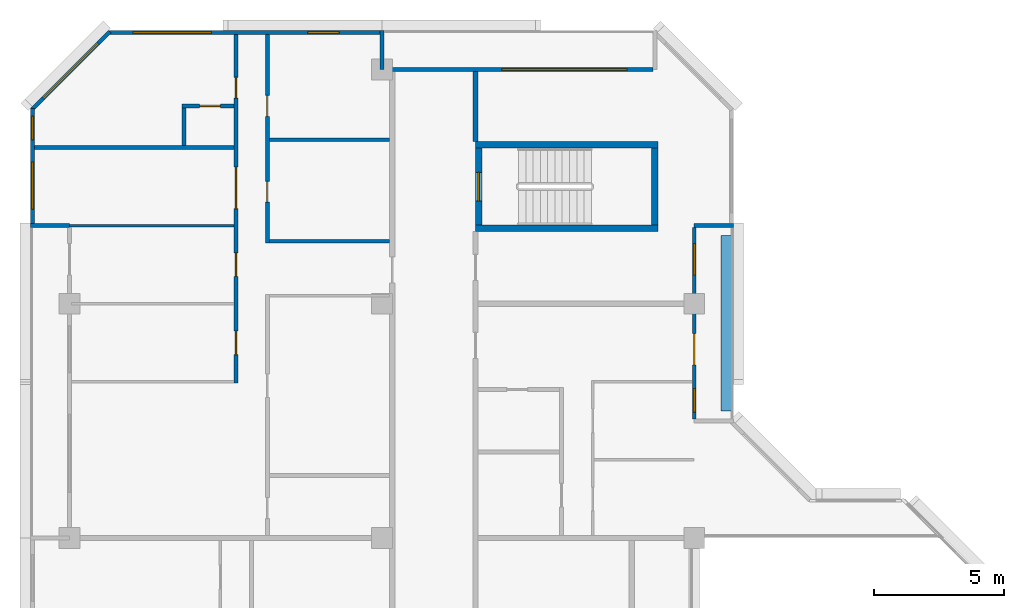
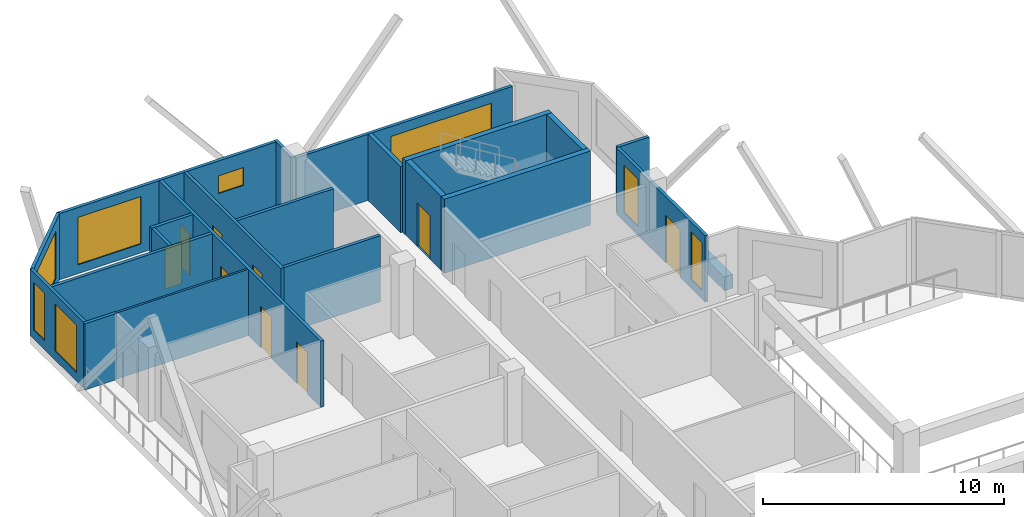
# One storey, part 10 of 13: 22 walls, 9 doors, 8 windows, 17 openings.
"""IFC4 building model written with IfcOpenShell, lengths in metres."""

from ifc_helpers import new_model, si_unit, direction, frame, frame_2d, origin, place, context, subcontext, project, spatial, rectangle, extrude, material, layer, layer_set, type_object, element, fill, save


model = new_model("IFC4")

# Units and contexts
model_context = context("Model", 3, precision=1e-05, world=origin(), true_north=direction((0.0, 1.0)))
body_context = subcontext(model_context, "Body", "Model", "MODEL_VIEW")
ifc_project = project(units=[si_unit("LENGTHUNIT", "METRE"), si_unit("AREAUNIT", "SQUARE_METRE"), si_unit("VOLUMEUNIT", "CUBIC_METRE"), si_unit("PLANEANGLEUNIT", "RADIAN"), si_unit("MASSUNIT", "GRAM", prefix="KILO")], contexts=[model_context])

# Site, building, storey
site_placement = place(None, origin())
site = spatial("IfcSite", under=ifc_project, at=site_placement, CompositionType="ELEMENT")
building_placement = place(site_placement, origin())
building = spatial("IfcBuilding", under=site, at=building_placement, Name="Chenar Terraces", CompositionType="ELEMENT")
storey_placement = place(building_placement, frame((0.0, 0.0, 280.89990234375)))
storey = spatial("IfcBuildingStorey", under=building, at=storey_placement, Name="L65", CompositionType="ELEMENT", Elevation=280.89990234375)

# Walls
ifc_material_1 = material(Name="Concrete C50/60", Category="concrete")
ifc_layer_1 = layer(ifc_material_1, 0.25)
ifc_layer_set_1 = layer_set([ifc_layer_1], Name="Concrete C50/60")
wall_type_1 = type_object("IfcWallType", Name="Core wall 250 Concrete C50/60", PredefinedType="SHEAR", material=ifc_layer_set_1)
for number, where, z_axis, x_axis, name in (
    (1, (15.60009765625, 47.89990234375, 0.0), (0.0, 0.0, 1.0), (1.0, 0.0, 0.0), "Core wall ST4_S L65"),
    (2, (15.60009765625, 51.10009765625, 0.0), (0.0, 0.0, 1.0), (1.0, 0.0, 0.0), "Core wall ST4_N L65"),
):
    element("IfcWall", number, at=place(storey_placement, frame(where, z_axis=z_axis, x_axis=x_axis)), inside=storey, type_object=wall_type_1, Name=name, PredefinedType="SHEAR", context=body_context, shape_type="SweptSolid", body=[
        extrude(rectangle(XDim=7.0, YDim=0.25, at=frame_2d((3.5, 0.0))), origin(), (0.0, 0.0, 1.0), 3.75),
    ])

# Wall, opening, door
wall_1_placement = place(storey_placement, frame((15.72509765625, 48.02490234375, 0.0), z_axis=(0.0, 0.0, 1.0), x_axis=(0.0, 1.0, 0.0)))
wall_1 = element("IfcWall", 3, at=wall_1_placement, inside=storey, type_object=wall_type_1, Name="Core wall ST4_W L65", PredefinedType="SHEAR", context=body_context, shape_type="SweptSolid", body=[
    extrude(rectangle(XDim=2.9501953125, YDim=0.25, at=frame_2d((1.47509765625, 0.0))), origin(), (0.0, 0.0, 1.0), 3.75),
])
opening_1_placement = place(wall_1_placement, frame((0.925048828125, 0.0, 0.0)))
opening_1 = element("IfcOpeningElement", 4, at=opening_1_placement, cuts=wall_1, Name="Opening DL65-C9", PredefinedType="OPENING", context=body_context, shape_type="SweptSolid", body=[
    extrude(rectangle(XDim=1.10009765625, YDim=2.199951171875, at=frame_2d((0.550048828125, 1.10009765625))), frame((0.0, 0.135009765625, 0.0), z_axis=(0.0, -1.0, 0.0), x_axis=(1.0, 0.0, 0.0)), (0.0, 0.0, 1.0), 0.27001953125),
])
ifc_material_2 = material(Name="Steel-framed fire-resisting door leaf", Category="steel")
door_type_1 = type_object("IfcDoorType", Name="Stair fire door FD60 1100 x 2200", OperationType="SINGLE_SWING_LEFT", PredefinedType="DOOR", material=ifc_material_2)
door_1_placement = place(opening_1_placement, frame((1.10009765625, 0.0, 0.0), z_axis=(0.0, 0.0, 1.0), x_axis=(-1.0, 0.0, 0.0)))
door_1 = element("IfcDoor", 5, at=door_1_placement, inside=storey, type_object=door_type_1, Name="Stair door DL65-C9", OperationType="SINGLE_SWING_RIGHT", OverallHeight=2.199951171875, OverallWidth=1.10009765625, PredefinedType="DOOR", context=body_context, shape_type="SweptSolid", body=[
    extrude(rectangle(XDim=1.10009765625, YDim=2.199951171875, at=frame_2d((0.550048828125, 1.10009765625))), frame((0.0, 0.02490234375, 0.0), z_axis=(0.0, -1.0, 0.0), x_axis=(1.0, 0.0, 0.0)), (0.0, 0.0, 1.0), 0.050048828125),
])
fill(opening_1, door_1)

# Walls
wall_2_placement = place(storey_placement, frame((22.47509765625, 48.02490234375, 0.0), z_axis=(0.0, 0.0, 1.0), x_axis=(0.0, 1.0, 0.0)))
element("IfcWall", 6, at=wall_2_placement, inside=storey, type_object=wall_type_1, Name="Core wall ST4_E L65", PredefinedType="SHEAR", context=body_context, shape_type="SweptSolid", body=[
    extrude(rectangle(XDim=2.9501953125, YDim=0.25, at=frame_2d((1.47509765625, 0.0))), origin(), (0.0, 0.0, 1.0), 3.75),
])
ifc_material_3 = material(Name="Gypsum board on steel studs with fire boards", Category="steel")
ifc_layer_2 = layer(ifc_material_3, 0.199951171875)
ifc_layer_set_2 = layer_set([ifc_layer_2], Name="Gypsum board on steel studs with fire boards")
wall_type_2 = type_object("IfcWallType", Name="Corridor wall 200", PredefinedType="PARTITIONING", material=ifc_layer_set_2)
wall_3_placement = place(storey_placement, frame((15.60009765625, 51.22509765625, 0.0), z_axis=(0.0, 0.0, 1.0), x_axis=(0.0, 1.0, 0.0)))
element("IfcWall", 7, at=wall_3_placement, inside=storey, type_object=wall_type_2, Name="Partition L65-030", PredefinedType="PARTITIONING", context=body_context, shape_type="SweptSolid", body=[
    extrude(rectangle(XDim=2.700927734375, YDim=0.199951171875, at=frame_2d((1.3505859375, 0.0))), origin(), (0.0, 0.0, 1.0), 3.35009765625),
])

# Wall, openings, windows
ifc_material_4 = material(Name="Aluminium framed glazing", Category="aluminium")
ifc_layer_3 = layer(ifc_material_4, 0.14990234375)
ifc_layer_set_3 = layer_set([ifc_layer_3], Name="Aluminium framed glazing")
wall_type_3 = type_object("IfcWallType", Name="Glazed flush facade wall 150", PredefinedType="SOLIDWALL", material=ifc_layer_set_3)
wall_4_placement = place(storey_placement, frame((11.925048828125, 55.425048828125, 0.0), z_axis=(0.0, 0.0, 1.0), x_axis=(-1.0, 0.0, 0.0)))
wall_4 = element("IfcWall", 8, at=wall_4_placement, inside=storey, type_object=wall_type_3, Name="Glazed flush facade wall", PredefinedType="SOLIDWALL", context=body_context, shape_type="SweptSolid", body=[
    extrude(rectangle(XDim=10.425048828125, YDim=0.14990234375, at=frame_2d((5.21240234375, 0.0))), origin(), (0.0, 0.0, 1.0), 3.35009765625),
])
opening_2_placement = place(wall_4_placement, frame((1.5625, 0.0, 1.699951171875)))
opening_2 = element("IfcOpeningElement", 9, at=opening_2_placement, cuts=wall_4, Name="Opening W120x90", PredefinedType="OPENING", context=body_context, shape_type="SweptSolid", body=[
    extrude(rectangle(XDim=1.199951171875, YDim=0.89990234375, at=frame_2d((0.60009765625, 0.449951171875))), frame((0.0, 0.0849609375, 0.0), z_axis=(0.0, -1.0, 0.0), x_axis=(1.0, 0.0, 0.0)), (0.0, 0.0, 1.0), 0.169921875),
])
opening_3_placement = place(wall_4_placement, frame((6.47509765625, 0.0, 0.449951171875)))
opening_3 = element("IfcOpeningElement", 10, at=opening_3_placement, cuts=wall_4, Name="Opening W300x240", PredefinedType="OPENING", context=body_context, shape_type="SweptSolid", body=[
    extrude(rectangle(XDim=3.0, YDim=2.39990234375, at=frame_2d((1.5, 1.199951171875))), frame((0.0, 0.0849609375, 0.0), z_axis=(0.0, -1.0, 0.0), x_axis=(1.0, 0.0, 0.0)), (0.0, 0.0, 1.0), 0.169921875),
])
ifc_material_5 = material(Name="Low emissivity double glazing, aluminium frame", Category="aluminium")
window_type_1 = type_object("IfcWindowType", Name="Fixed light 1200 x 900", PartitioningType="SINGLE_PANEL", PredefinedType="WINDOW", material=ifc_material_5)
window_1_placement = place(opening_2_placement, origin())
window_1 = element("IfcWindow", 11, at=window_1_placement, inside=storey, type_object=window_type_1, Name="Window", OverallHeight=0.89990234375, OverallWidth=1.199951171875, PartitioningType="SINGLE_PANEL", PredefinedType="WINDOW", context=body_context, shape_type="SweptSolid", body=[
    extrude(rectangle(XDim=1.199951171875, YDim=0.89990234375, at=frame_2d((0.60009765625, 0.449951171875))), frame((0.0, 0.030029296875, 0.0), z_axis=(0.0, -1.0, 0.0), x_axis=(1.0, 0.0, 0.0)), (0.0, 0.0, 1.0), 0.06005859375),
])
fill(opening_2, window_1)
ifc_material_6 = material(Name="Low emissivity double glazing, aluminium frame", Category="aluminium")
window_type_2 = type_object("IfcWindowType", Name="Fixed light 3000 x 2400", PartitioningType="SINGLE_PANEL", PredefinedType="WINDOW", material=ifc_material_6)
window_2_placement = place(opening_3_placement, origin())
window_2 = element("IfcWindow", 12, at=window_2_placement, inside=storey, type_object=window_type_2, Name="Window", OverallHeight=2.39990234375, OverallWidth=3.0, PartitioningType="SINGLE_PANEL", PredefinedType="WINDOW", context=body_context, shape_type="SweptSolid", body=[
    extrude(rectangle(XDim=3.0, YDim=2.39990234375, at=frame_2d((1.5, 1.199951171875))), frame((0.0, 0.030029296875, 0.0), z_axis=(0.0, -1.0, 0.0), x_axis=(1.0, 0.0, 0.0)), (0.0, 0.0, 1.0), 0.06005859375),
])
fill(opening_3, window_2)

wall_5_placement = place(storey_placement, frame((-1.425048828125, 52.5, 0.0), z_axis=(0.0, 0.0, 1.0), x_axis=(0.0, -1.0, 0.0)))
wall_5 = element("IfcWall", 13, at=wall_5_placement, inside=storey, type_object=wall_type_3, Name="Glazed flush facade wall", PredefinedType="SOLIDWALL", context=body_context, shape_type="SweptSolid", body=[
    extrude(rectangle(XDim=4.425048828125, YDim=0.14990234375, at=frame_2d((2.21240234375, 0.0))), origin(), (0.0, 0.0, 1.0), 3.35009765625),
])
opening_4_placement = place(wall_5_placement, frame((0.300048828125, 0.0, 0.449951171875)))
opening_4 = element("IfcOpeningElement", 14, at=opening_4_placement, cuts=wall_5, Name="Opening W90x240", PredefinedType="OPENING", context=body_context, shape_type="SweptSolid", body=[
    extrude(rectangle(XDim=0.89990234375, YDim=2.39990234375, at=frame_2d((0.449951171875, 1.199951171875))), frame((0.0, 0.0849609375, 0.0), z_axis=(0.0, -1.0, 0.0), x_axis=(1.0, 0.0, 0.0)), (0.0, 0.0, 1.0), 0.169921875),
])
opening_5_placement = place(wall_5_placement, frame((2.0625, 0.0, 0.449951171875)))
opening_5 = element("IfcOpeningElement", 15, at=opening_5_placement, cuts=wall_5, Name="Opening W180x240", PredefinedType="OPENING", context=body_context, shape_type="SweptSolid", body=[
    extrude(rectangle(XDim=1.800048828125, YDim=2.39990234375, at=frame_2d((0.89990234375, 1.199951171875))), frame((0.0, 0.0849609375, 0.0), z_axis=(0.0, -1.0, 0.0), x_axis=(1.0, 0.0, 0.0)), (0.0, 0.0, 1.0), 0.169921875),
])
ifc_material_7 = material(Name="Low emissivity double glazing, aluminium frame", Category="aluminium")
window_type_3 = type_object("IfcWindowType", Name="Fixed light 1800 x 2400", PartitioningType="SINGLE_PANEL", PredefinedType="WINDOW", material=ifc_material_7)
window_3_placement = place(opening_5_placement, origin())
window_3 = element("IfcWindow", 16, at=window_3_placement, inside=storey, type_object=window_type_3, Name="Window", OverallHeight=2.39990234375, OverallWidth=1.800048828125, PartitioningType="SINGLE_PANEL", PredefinedType="WINDOW", context=body_context, shape_type="SweptSolid", body=[
    extrude(rectangle(XDim=1.800048828125, YDim=2.39990234375, at=frame_2d((0.89990234375, 1.199951171875))), frame((0.0, 0.030029296875, 0.0), z_axis=(0.0, -1.0, 0.0), x_axis=(1.0, 0.0, 0.0)), (0.0, 0.0, 1.0), 0.06005859375),
])
fill(opening_5, window_3)
ifc_material_8 = material(Name="Low emissivity double glazing, aluminium frame", Category="aluminium")
window_type_4 = type_object("IfcWindowType", Name="Fixed light 900 x 2400", PartitioningType="SINGLE_PANEL", PredefinedType="WINDOW", material=ifc_material_8)
window_4_placement = place(opening_4_placement, origin())
window_4 = element("IfcWindow", 17, at=window_4_placement, inside=storey, type_object=window_type_4, Name="Window", OverallHeight=2.39990234375, OverallWidth=0.89990234375, PartitioningType="SINGLE_PANEL", PredefinedType="WINDOW", context=body_context, shape_type="SweptSolid", body=[
    extrude(rectangle(XDim=0.89990234375, YDim=2.39990234375, at=frame_2d((0.449951171875, 1.199951171875))), frame((0.0, 0.030029296875, 0.0), z_axis=(0.0, -1.0, 0.0), x_axis=(1.0, 0.0, 0.0)), (0.0, 0.0, 1.0), 0.06005859375),
])
fill(opening_4, window_4)

# Wall, openings, windows, door
ifc_material_9 = material(Name="Aluminium framed glazing", Category="aluminium")
ifc_layer_4 = layer(ifc_material_9, 0.14990234375)
ifc_layer_set_4 = layer_set([ifc_layer_4], Name="Aluminium framed glazing")
wall_type_4 = type_object("IfcWallType", Name="Glazed loggia back wall 150", PredefinedType="SOLIDWALL", material=ifc_layer_set_4)
wall_6_placement = place(storey_placement, frame((24.0, 40.574951171875, 0.0), z_axis=(0.0, 0.0, 1.0), x_axis=(0.0, 1.0, 0.0)))
wall_6 = element("IfcWall", 18, at=wall_6_placement, inside=storey, type_object=wall_type_4, Name="Glazed loggia back wall", PredefinedType="SOLIDWALL", context=body_context, shape_type="SweptSolid", body=[
    extrude(rectangle(XDim=7.35009765625, YDim=0.14990234375, at=frame_2d((3.675048828125, 0.0))), origin(), (0.0, 0.0, 1.0), 3.35009765625),
])
opening_6_placement = place(wall_6_placement, frame((0.262451171875, 0.0, 0.449951171875)))
opening_6 = element("IfcOpeningElement", 19, at=opening_6_placement, cuts=wall_6, Name="Opening W90x240", PredefinedType="OPENING", context=body_context, shape_type="SweptSolid", body=[
    extrude(rectangle(XDim=0.89990234375, YDim=2.39990234375, at=frame_2d((0.449951171875, 1.199951171875))), frame((0.0, 0.0849609375, 0.0), z_axis=(0.0, -1.0, 0.0), x_axis=(1.0, 0.0, 0.0)), (0.0, 0.0, 1.0), 0.169921875),
])
opening_7_placement = place(wall_6_placement, frame((2.074951171875, 0.0, 0.0)))
opening_7 = element("IfcOpeningElement", 20, at=opening_7_placement, cuts=wall_6, Name="Opening DL65-G2", PredefinedType="OPENING", context=body_context, shape_type="SweptSolid", body=[
    extrude(rectangle(XDim=1.199951171875, YDim=2.39990234375, at=frame_2d((0.60009765625, 1.199951171875))), frame((0.0, 0.0849609375, 0.0), z_axis=(0.0, -1.0, 0.0), x_axis=(1.0, 0.0, 0.0)), (0.0, 0.0, 1.0), 0.169921875),
])
opening_8_placement = place(wall_6_placement, frame((5.53759765625, 0.0, 0.449951171875)))
opening_8 = element("IfcOpeningElement", 21, at=opening_8_placement, cuts=wall_6, Name="Opening W120x240", PredefinedType="OPENING", context=body_context, shape_type="SweptSolid", body=[
    extrude(rectangle(XDim=1.199951171875, YDim=2.39990234375, at=frame_2d((0.60009765625, 1.199951171875))), frame((0.0, 0.0849609375, 0.0), z_axis=(0.0, -1.0, 0.0), x_axis=(1.0, 0.0, 0.0)), (0.0, 0.0, 1.0), 0.169921875),
])
ifc_material_10 = material(Name="Low emissivity double glazing, aluminium frame", Category="aluminium")
window_type_5 = type_object("IfcWindowType", Name="Fixed light 1200 x 2400", PartitioningType="SINGLE_PANEL", PredefinedType="WINDOW", material=ifc_material_10)
window_5_placement = place(opening_8_placement, origin())
window_5 = element("IfcWindow", 22, at=window_5_placement, inside=storey, type_object=window_type_5, Name="Window", OverallHeight=2.39990234375, OverallWidth=1.199951171875, PartitioningType="SINGLE_PANEL", PredefinedType="WINDOW", context=body_context, shape_type="SweptSolid", body=[
    extrude(rectangle(XDim=1.199951171875, YDim=2.39990234375, at=frame_2d((0.60009765625, 1.199951171875))), frame((0.0, 0.030029296875, 0.0), z_axis=(0.0, -1.0, 0.0), x_axis=(1.0, 0.0, 0.0)), (0.0, 0.0, 1.0), 0.06005859375),
])
fill(opening_8, window_5)
window_6_placement = place(opening_6_placement, origin())
window_6 = element("IfcWindow", 23, at=window_6_placement, inside=storey, type_object=window_type_4, Name="Window", OverallHeight=2.39990234375, OverallWidth=0.89990234375, PartitioningType="SINGLE_PANEL", PredefinedType="WINDOW", context=body_context, shape_type="SweptSolid", body=[
    extrude(rectangle(XDim=0.89990234375, YDim=2.39990234375, at=frame_2d((0.449951171875, 1.199951171875))), frame((0.0, 0.030029296875, 0.0), z_axis=(0.0, -1.0, 0.0), x_axis=(1.0, 0.0, 0.0)), (0.0, 0.0, 1.0), 0.06005859375),
])
fill(opening_6, window_6)
ifc_material_11 = material(Name="Low emissivity double glazing, aluminium frame", Category="aluminium")
door_type_2 = type_object("IfcDoorType", Name="Loggia glazed double door 1200 x 2400", OperationType="DOUBLE_DOOR_SINGLE_SWING", PredefinedType="DOOR", material=ifc_material_11)
door_2_placement = place(opening_7_placement, frame((1.199951171875, 0.0, 0.0), z_axis=(0.0, 0.0, 1.0), x_axis=(-1.0, 0.0, 0.0)))
door_2 = element("IfcDoor", 24, at=door_2_placement, inside=storey, type_object=door_type_2, Name="Loggia glazed door", OperationType="DOUBLE_DOOR_SINGLE_SWING", OverallHeight=2.39990234375, OverallWidth=1.199951171875, PredefinedType="DOOR", context=body_context, shape_type="SweptSolid", body=[
    extrude(rectangle(XDim=1.199951171875, YDim=2.39990234375, at=frame_2d((0.60009765625, 1.199951171875))), frame((0.0, 0.02490234375, 0.0), z_axis=(0.0, -1.0, 0.0), x_axis=(1.0, 0.0, 0.0)), (0.0, 0.0, 1.0), 0.050048828125),
])
fill(opening_7, door_2)

# Wall, opening, window
wall_7_placement = place(storey_placement, frame((22.425048828125, 54.0, 0.0), z_axis=(0.0, 0.0, 1.0), x_axis=(-1.0, 0.0, 0.0)))
wall_7 = element("IfcWall", 25, at=wall_7_placement, inside=storey, type_object=wall_type_4, Name="Glazed loggia back wall", PredefinedType="SOLIDWALL", context=body_context, shape_type="SweptSolid", body=[
    extrude(rectangle(XDim=10.35009765625, YDim=0.14990234375, at=frame_2d((5.175048828125, 0.0))), origin(), (0.0, 0.0, 1.0), 3.35009765625),
])
opening_9_placement = place(wall_7_placement, frame((1.012451171875, 0.0, 0.449951171875)))
opening_9 = element("IfcOpeningElement", 26, at=opening_9_placement, cuts=wall_7, Name="Opening W480x240", PredefinedType="OPENING", context=body_context, shape_type="SweptSolid", body=[
    extrude(rectangle(XDim=4.800048828125, YDim=2.39990234375, at=frame_2d((2.39990234375, 1.199951171875))), frame((0.0, 0.0849609375, 0.0), z_axis=(0.0, -1.0, 0.0), x_axis=(1.0, 0.0, 0.0)), (0.0, 0.0, 1.0), 0.169921875),
])
ifc_material_12 = material(Name="Low emissivity double glazing, aluminium frame", Category="aluminium")
window_type_6 = type_object("IfcWindowType", Name="Fixed light 4800 x 2400", PartitioningType="SINGLE_PANEL", PredefinedType="WINDOW", material=ifc_material_12)
window_7_placement = place(opening_9_placement, origin())
window_7 = element("IfcWindow", 27, at=window_7_placement, inside=storey, type_object=window_type_6, Name="Window", OverallHeight=2.39990234375, OverallWidth=4.800048828125, PartitioningType="SINGLE_PANEL", PredefinedType="WINDOW", context=body_context, shape_type="SweptSolid", body=[
    extrude(rectangle(XDim=4.800048828125, YDim=2.39990234375, at=frame_2d((2.39990234375, 1.199951171875))), frame((0.0, 0.030029296875, 0.0), z_axis=(0.0, -1.0, 0.0), x_axis=(1.0, 0.0, 0.0)), (0.0, 0.0, 1.0), 0.06005859375),
])
fill(opening_9, window_7)

# Walls
ifc_material_13 = material(Name="Gypsum board on steel studs", Category="steel")
ifc_layer_5 = layer(ifc_material_13, 0.10009765625)
ifc_layer_set_5 = layer_set([ifc_layer_5], Name="Gypsum board on steel studs")
wall_type_5 = type_object("IfcWallType", Name="Gypsum partition 100", PredefinedType="PARTITIONING", material=ifc_layer_set_5)
wall_8_placement = place(storey_placement, frame((0.0, 48.0, 0.0), z_axis=(0.0, 0.0, 1.0), x_axis=(1.0, 0.0, 0.0)))
element("IfcWall", 28, at=wall_8_placement, inside=storey, type_object=wall_type_5, Name="Partition L65-005", PredefinedType="PARTITIONING", context=body_context, shape_type="SweptSolid", body=[
    extrude(rectangle(XDim=6.324951171875, YDim=0.10009765625, at=frame_2d((3.16259765625, 0.0))), origin(), (0.0, 0.0, 1.0), 3.35009765625),
])
ifc_material_14 = material(Name="Terracotta cladding on insulated backing", Category="masonry")
ifc_layer_6 = layer(ifc_material_14, 0.14990234375)
ifc_layer_set_6 = layer_set([ifc_layer_6], Name="Terracotta cladding on insulated backing")
wall_type_6 = type_object("IfcWallType", Name="Loggia return wall 150", PredefinedType="SOLIDWALL", material=ifc_layer_set_6)
for number, where, z_axis, x_axis, name in (
    (29, (25.5, 48.0, 0.0), (0.0, 0.0, 1.0), (-1.0, 0.0, 0.0), "Loggia return wall"),
    (30, (12.0, 55.5, 0.0), (0.0, 0.0, 1.0), (0.0, -1.0, 0.0), "Loggia return wall"),
    (31, (-1.5, 48.0, 0.0), (0.0, 0.0, 1.0), (1.0, 0.0, 0.0), "Loggia return wall"),
):
    element("IfcWall", number, at=place(storey_placement, frame(where, z_axis=z_axis, x_axis=x_axis)), inside=storey, type_object=wall_type_6, Name=name, PredefinedType="SOLIDWALL", context=body_context, shape_type="SweptSolid", body=[
        extrude(rectangle(XDim=1.5, YDim=0.14990234375, at=frame_2d((0.75, 0.0))), origin(), (0.0, 0.0, 1.0), 3.35009765625),
    ])

# Wall, opening, window
ifc_material_15 = material(Name="Terracotta cladding on insulated backing", Category="masonry")
ifc_layer_7 = layer(ifc_material_15, 0.14990234375)
ifc_layer_set_7 = layer_set([ifc_layer_7], Name="Terracotta cladding on insulated backing")
wall_type_7 = type_object("IfcWallType", Name="Terracotta rainscreen wall 150", PredefinedType="SOLIDWALL", material=ifc_layer_set_7)
wall_9_placement = place(storey_placement, frame((1.552978515625, 55.447021484375, 0.0), z_axis=(0.0, 0.0, 1.0), x_axis=(-0.707106781187, -0.707106781187, 0.0)))
wall_9 = element("IfcWall", 32, at=wall_9_placement, inside=storey, type_object=wall_type_7, Name="Terracotta rainscreen wall", PredefinedType="SOLIDWALL", context=body_context, shape_type="SweptSolid", body=[
    extrude(rectangle(XDim=4.24267578125, YDim=0.14990234375, at=frame_2d((2.121337890625, 0.0))), origin(), (0.0, 0.0, 1.0), 3.35009765625),
])
opening_10_placement = place(wall_9_placement, frame((0.621337890625, 0.0, 0.449951171875)))
opening_10 = element("IfcOpeningElement", 33, at=opening_10_placement, cuts=wall_9, Name="Opening W300x240", PredefinedType="OPENING", context=body_context, shape_type="SweptSolid", body=[
    extrude(rectangle(XDim=3.0, YDim=2.39990234375, at=frame_2d((1.5, 1.199951171875))), frame((0.0, 0.0849609375, 0.0), z_axis=(0.0, -1.0, 0.0), x_axis=(1.0, 0.0, 0.0)), (0.0, 0.0, 1.0), 0.169921875),
])
window_8_placement = place(opening_10_placement, origin())
window_8 = element("IfcWindow", 34, at=window_8_placement, inside=storey, type_object=window_type_2, Name="Window", OverallHeight=2.39990234375, OverallWidth=3.0, PartitioningType="SINGLE_PANEL", PredefinedType="WINDOW", context=body_context, shape_type="SweptSolid", body=[
    extrude(rectangle(XDim=3.0, YDim=2.39990234375, at=frame_2d((1.5, 1.199951171875))), frame((0.0, 0.030029296875, 0.0), z_axis=(0.0, -1.0, 0.0), x_axis=(1.0, 0.0, 0.0)), (0.0, 0.0, 1.0), 0.06005859375),
])
fill(opening_10, window_8)

# Walls
ifc_material_16 = material(Name="GRP planter trough")
ifc_layer_8 = layer(ifc_material_16, 0.39990234375)
ifc_layer_set_8 = layer_set([ifc_layer_8], Name="GRP planter trough")
wall_type_8 = type_object("IfcWallType", Name="Vertical greenery planter 400", PredefinedType="SOLIDWALL", material=ifc_layer_set_8)
wall_10_placement = place(storey_placement, frame((25.22900390625, 40.875, 0.0), z_axis=(0.0, 0.0, 1.0), x_axis=(0.0, 1.0, 0.0)))
element("IfcWall", 35, at=wall_10_placement, inside=storey, type_object=wall_type_8, Name="Vertical greenery planter", PredefinedType="SOLIDWALL", context=body_context, shape_type="SweptSolid", body=[
    extrude(rectangle(XDim=6.75, YDim=0.39990234375, at=frame_2d((3.375, 0.0))), origin(), (0.0, 0.0, 1.0), 0.7001953125),
])
ifc_material_17 = material(Name="Moisture-resistant gypsum board on steel studs", Category="steel")
ifc_layer_9 = layer(ifc_material_17, 0.14990234375)
ifc_layer_set_9 = layer_set([ifc_layer_9], Name="Moisture-resistant gypsum board on steel studs")
wall_type_9 = type_object("IfcWallType", Name="Wet-room partition 150", PredefinedType="PARTITIONING", material=ifc_layer_set_9)
wall_11_placement = place(storey_placement, frame((-1.35107421875, 51.0, 0.0), z_axis=(0.0, 0.0, 1.0), x_axis=(1.0, 0.0, 0.0)))
element("IfcWall", 36, at=wall_11_placement, inside=storey, type_object=wall_type_9, Name="Partition L65-002", PredefinedType="PARTITIONING", context=body_context, shape_type="SweptSolid", body=[
    extrude(rectangle(XDim=7.676025390625, YDim=0.14990234375, at=frame_2d((3.837890625, 0.0))), origin(), (0.0, 0.0, 1.0), 3.35009765625),
])

# Wall, opening, door
wall_12_placement = place(storey_placement, frame((4.324951171875, 52.60009765625, 0.0), z_axis=(0.0, 0.0, 1.0), x_axis=(1.0, 0.0, 0.0)))
wall_12 = element("IfcWall", 37, at=wall_12_placement, inside=storey, type_object=wall_type_9, Name="Partition L65-011", PredefinedType="PARTITIONING", context=body_context, shape_type="SweptSolid", body=[
    extrude(rectangle(XDim=2.0, YDim=0.14990234375, at=frame_2d((1.0, 0.0))), origin(), (0.0, 0.0, 1.0), 3.35009765625),
])
opening_11_placement = place(wall_12_placement, frame((0.675048828125, 0.0, 0.0)))
opening_11 = element("IfcOpeningElement", 38, at=opening_11_placement, cuts=wall_12, Name="Opening DL65-26", PredefinedType="OPENING", context=body_context, shape_type="SweptSolid", body=[
    extrude(rectangle(XDim=0.800048828125, YDim=2.10009765625, at=frame_2d((0.39990234375, 1.050048828125))), frame((0.0, 0.0849609375, 0.0), z_axis=(0.0, -1.0, 0.0), x_axis=(1.0, 0.0, 0.0)), (0.0, 0.0, 1.0), 0.169921875),
])
ifc_material_18 = material(Name="Veneered timber door leaf", Category="wood")
door_type_3 = type_object("IfcDoorType", Name="Door 800 x 2100", OperationType="SINGLE_SWING_LEFT", PredefinedType="DOOR", material=ifc_material_18)
door_3_placement = place(opening_11_placement, frame((0.800048828125, 0.0, 0.0), z_axis=(0.0, 0.0, 1.0), x_axis=(-1.0, 0.0, 0.0)))
door_3 = element("IfcDoor", 39, at=door_3_placement, inside=storey, type_object=door_type_3, Name="Door DL65-26", OperationType="SINGLE_SWING_RIGHT", OverallHeight=2.10009765625, OverallWidth=0.800048828125, PredefinedType="DOOR", context=body_context, shape_type="SweptSolid", body=[
    extrude(rectangle(XDim=0.800048828125, YDim=2.10009765625, at=frame_2d((0.39990234375, 1.050048828125))), frame((0.0, 0.02490234375, 0.0), z_axis=(0.0, -1.0, 0.0), x_axis=(1.0, 0.0, 0.0)), (0.0, 0.0, 1.0), 0.050048828125),
])
fill(opening_11, door_3)

# Wall
wall_13_placement = place(storey_placement, frame((4.39990234375, 51.074951171875, 0.0), z_axis=(0.0, 0.0, 1.0), x_axis=(0.0, 1.0, 0.0)))
element("IfcWall", 40, at=wall_13_placement, inside=storey, type_object=wall_type_9, Name="Partition L65-012", PredefinedType="PARTITIONING", context=body_context, shape_type="SweptSolid", body=[
    extrude(rectangle(XDim=1.449951171875, YDim=0.14990234375, at=frame_2d((0.72509765625, 0.0))), origin(), (0.0, 0.0, 1.0), 3.35009765625),
])

# Wall, openings, doors
wall_14_placement = place(storey_placement, frame((6.39990234375, 41.949951171875, 0.0), z_axis=(0.0, 0.0, 1.0), x_axis=(0.0, 1.0, 0.0)))
wall_14 = element("IfcWall", 41, at=wall_14_placement, inside=storey, type_object=wall_type_9, Name="Partition L65-014", PredefinedType="PARTITIONING", context=body_context, shape_type="SweptSolid", body=[
    extrude(rectangle(XDim=13.400146484375, YDim=0.14990234375, at=frame_2d((6.7001953125, 0.0))), origin(), (0.0, 0.0, 1.0), 3.35009765625),
])
opening_12_placement = place(wall_14_placement, frame((1.10009765625, 0.0, 0.0)))
opening_12 = element("IfcOpeningElement", 42, at=opening_12_placement, cuts=wall_14, Name="Opening DL65-19", PredefinedType="OPENING", context=body_context, shape_type="SweptSolid", body=[
    extrude(rectangle(XDim=0.89990234375, YDim=2.10009765625, at=frame_2d((0.449951171875, 1.050048828125))), frame((0.0, 0.0849609375, 0.0), z_axis=(0.0, -1.0, 0.0), x_axis=(1.0, 0.0, 0.0)), (0.0, 0.0, 1.0), 0.169921875),
])
opening_13_placement = place(wall_14_placement, frame((4.10009765625, 0.0, 0.0)))
opening_13 = element("IfcOpeningElement", 43, at=opening_13_placement, cuts=wall_14, Name="Opening DL65-20", PredefinedType="OPENING", context=body_context, shape_type="SweptSolid", body=[
    extrude(rectangle(XDim=0.89990234375, YDim=2.10009765625, at=frame_2d((0.449951171875, 1.050048828125))), frame((0.0, 0.0849609375, 0.0), z_axis=(0.0, -1.0, 0.0), x_axis=(1.0, 0.0, 0.0)), (0.0, 0.0, 1.0), 0.169921875),
])
opening_14_placement = place(wall_14_placement, frame((10.949951171875, 0.0, 0.0)))
opening_14 = element("IfcOpeningElement", 44, at=opening_14_placement, cuts=wall_14, Name="Opening DL65-25", PredefinedType="OPENING", context=body_context, shape_type="SweptSolid", body=[
    extrude(rectangle(XDim=0.800048828125, YDim=2.10009765625, at=frame_2d((0.39990234375, 1.050048828125))), frame((0.0, 0.0849609375, 0.0), z_axis=(0.0, -1.0, 0.0), x_axis=(1.0, 0.0, 0.0)), (0.0, 0.0, 1.0), 0.169921875),
])
opening_15_placement = place(wall_14_placement, frame((6.699951171875, 0.0, 0.0)))
opening_15 = element("IfcOpeningElement", 45, at=opening_15_placement, cuts=wall_14, Name="Opening DL65-27", PredefinedType="OPENING", context=body_context, shape_type="SweptSolid", body=[
    extrude(rectangle(XDim=1.60009765625, YDim=2.10009765625, at=frame_2d((0.800048828125, 1.050048828125))), frame((0.0, 0.0849609375, 0.0), z_axis=(0.0, -1.0, 0.0), x_axis=(1.0, 0.0, 0.0)), (0.0, 0.0, 1.0), 0.169921875),
])
door_4_placement = place(opening_14_placement, origin())
door_4 = element("IfcDoor", 46, at=door_4_placement, inside=storey, type_object=door_type_3, Name="Door DL65-25", OperationType="SINGLE_SWING_LEFT", OverallHeight=2.10009765625, OverallWidth=0.800048828125, PredefinedType="DOOR", context=body_context, shape_type="SweptSolid", body=[
    extrude(rectangle(XDim=0.800048828125, YDim=2.10009765625, at=frame_2d((0.39990234375, 1.050048828125))), frame((0.0, 0.02490234375, 0.0), z_axis=(0.0, -1.0, 0.0), x_axis=(1.0, 0.0, 0.0)), (0.0, 0.0, 1.0), 0.050048828125),
])
fill(opening_14, door_4)
ifc_material_19 = material(Name="Veneered timber door leaf", Category="wood")
door_type_4 = type_object("IfcDoorType", Name="Door 900 x 2100", OperationType="SINGLE_SWING_LEFT", PredefinedType="DOOR", material=ifc_material_19)
door_5_placement = place(opening_12_placement, origin())
door_5 = element("IfcDoor", 47, at=door_5_placement, inside=storey, type_object=door_type_4, Name="Door DL65-19", OperationType="SINGLE_SWING_LEFT", OverallHeight=2.10009765625, OverallWidth=0.89990234375, PredefinedType="DOOR", context=body_context, shape_type="SweptSolid", body=[
    extrude(rectangle(XDim=0.89990234375, YDim=2.10009765625, at=frame_2d((0.449951171875, 1.050048828125))), frame((0.0, 0.02490234375, 0.0), z_axis=(0.0, -1.0, 0.0), x_axis=(1.0, 0.0, 0.0)), (0.0, 0.0, 1.0), 0.050048828125),
])
fill(opening_12, door_5)
door_6_placement = place(opening_13_placement, origin())
door_6 = element("IfcDoor", 48, at=door_6_placement, inside=storey, type_object=door_type_4, Name="Door DL65-20", OperationType="SINGLE_SWING_LEFT", OverallHeight=2.10009765625, OverallWidth=0.89990234375, PredefinedType="DOOR", context=body_context, shape_type="SweptSolid", body=[
    extrude(rectangle(XDim=0.89990234375, YDim=2.10009765625, at=frame_2d((0.449951171875, 1.050048828125))), frame((0.0, 0.02490234375, 0.0), z_axis=(0.0, -1.0, 0.0), x_axis=(1.0, 0.0, 0.0)), (0.0, 0.0, 1.0), 0.050048828125),
])
fill(opening_13, door_6)
ifc_material_20 = material(Name="Veneered timber door leaf", Category="wood")
door_type_5 = type_object("IfcDoorType", Name="Double door 1600 x 2100", OperationType="DOUBLE_DOOR_SINGLE_SWING", PredefinedType="DOOR", material=ifc_material_20)
door_7_placement = place(opening_15_placement, origin())
door_7 = element("IfcDoor", 49, at=door_7_placement, inside=storey, type_object=door_type_5, Name="Door DL65-27", OperationType="DOUBLE_DOOR_SINGLE_SWING", OverallHeight=2.10009765625, OverallWidth=1.60009765625, PredefinedType="DOOR", context=body_context, shape_type="SweptSolid", body=[
    extrude(rectangle(XDim=1.60009765625, YDim=2.10009765625, at=frame_2d((0.800048828125, 1.050048828125))), frame((0.0, 0.02490234375, 0.0), z_axis=(0.0, -1.0, 0.0), x_axis=(1.0, 0.0, 0.0)), (0.0, 0.0, 1.0), 0.050048828125),
])
fill(opening_15, door_7)

wall_15_placement = place(storey_placement, frame((7.60009765625, 47.324951171875, 0.0), z_axis=(0.0, 0.0, 1.0), x_axis=(0.0, 1.0, 0.0)))
wall_15 = element("IfcWall", 50, at=wall_15_placement, inside=storey, type_object=wall_type_9, Name="Partition L65-019", PredefinedType="PARTITIONING", context=body_context, shape_type="SweptSolid", body=[
    extrude(rectangle(XDim=8.025146484375, YDim=0.14990234375, at=frame_2d((4.0126953125, 0.0))), origin(), (0.0, 0.0, 1.0), 3.35009765625),
])
opening_16_placement = place(wall_15_placement, frame((1.574951171875, 0.0, 0.0)))
opening_16 = element("IfcOpeningElement", 51, at=opening_16_placement, cuts=wall_15, Name="Opening DL65-18", PredefinedType="OPENING", context=body_context, shape_type="SweptSolid", body=[
    extrude(rectangle(XDim=0.800048828125, YDim=2.10009765625, at=frame_2d((0.39990234375, 1.050048828125))), frame((0.0, 0.0849609375, 0.0), z_axis=(0.0, -1.0, 0.0), x_axis=(1.0, 0.0, 0.0)), (0.0, 0.0, 1.0), 0.169921875),
])
opening_17_placement = place(wall_15_placement, frame((4.875, 0.0, 0.0)))
opening_17 = element("IfcOpeningElement", 52, at=opening_17_placement, cuts=wall_15, Name="Opening DL65-23", PredefinedType="OPENING", context=body_context, shape_type="SweptSolid", body=[
    extrude(rectangle(XDim=0.800048828125, YDim=2.10009765625, at=frame_2d((0.39990234375, 1.050048828125))), frame((0.0, 0.0849609375, 0.0), z_axis=(0.0, -1.0, 0.0), x_axis=(1.0, 0.0, 0.0)), (0.0, 0.0, 1.0), 0.169921875),
])
door_8_placement = place(opening_16_placement, frame((0.800048828125, 0.0, 0.0), z_axis=(0.0, 0.0, 1.0), x_axis=(-1.0, 0.0, 0.0)))
door_8 = element("IfcDoor", 53, at=door_8_placement, inside=storey, type_object=door_type_3, Name="Door DL65-18", OperationType="SINGLE_SWING_RIGHT", OverallHeight=2.10009765625, OverallWidth=0.800048828125, PredefinedType="DOOR", context=body_context, shape_type="SweptSolid", body=[
    extrude(rectangle(XDim=0.800048828125, YDim=2.10009765625, at=frame_2d((0.39990234375, 1.050048828125))), frame((0.0, 0.02490234375, 0.0), z_axis=(0.0, -1.0, 0.0), x_axis=(1.0, 0.0, 0.0)), (0.0, 0.0, 1.0), 0.050048828125),
])
fill(opening_16, door_8)
door_9_placement = place(opening_17_placement, frame((0.800048828125, 0.0, 0.0), z_axis=(0.0, 0.0, 1.0), x_axis=(-1.0, 0.0, 0.0)))
door_9 = element("IfcDoor", 54, at=door_9_placement, inside=storey, type_object=door_type_3, Name="Door DL65-23", OperationType="SINGLE_SWING_RIGHT", OverallHeight=2.10009765625, OverallWidth=0.800048828125, PredefinedType="DOOR", context=body_context, shape_type="SweptSolid", body=[
    extrude(rectangle(XDim=0.800048828125, YDim=2.10009765625, at=frame_2d((0.39990234375, 1.050048828125))), frame((0.0, 0.02490234375, 0.0), z_axis=(0.0, -1.0, 0.0), x_axis=(1.0, 0.0, 0.0)), (0.0, 0.0, 1.0), 0.050048828125),
])
fill(opening_17, door_9)

# Walls
for number, where, z_axis, x_axis, name in (
    (55, (7.675048828125, 47.39990234375, 0.0), (0.0, 0.0, 1.0), (1.0, 0.0, 0.0), "Partition L65-022"),
    (56, (7.675048828125, 51.300048828125, 0.0), (0.0, 0.0, 1.0), (1.0, 0.0, 0.0), "Partition L65-023"),
):
    element("IfcWall", number, at=place(storey_placement, frame(where, z_axis=z_axis, x_axis=x_axis)), inside=storey, type_object=wall_type_9, Name=name, PredefinedType="PARTITIONING", context=body_context, shape_type="SweptSolid", body=[
        extrude(rectangle(XDim=4.625, YDim=0.14990234375, at=frame_2d((2.3125, 0.0))), origin(), (0.0, 0.0, 1.0), 3.35009765625),
    ])

save(model, "model.ifc")
